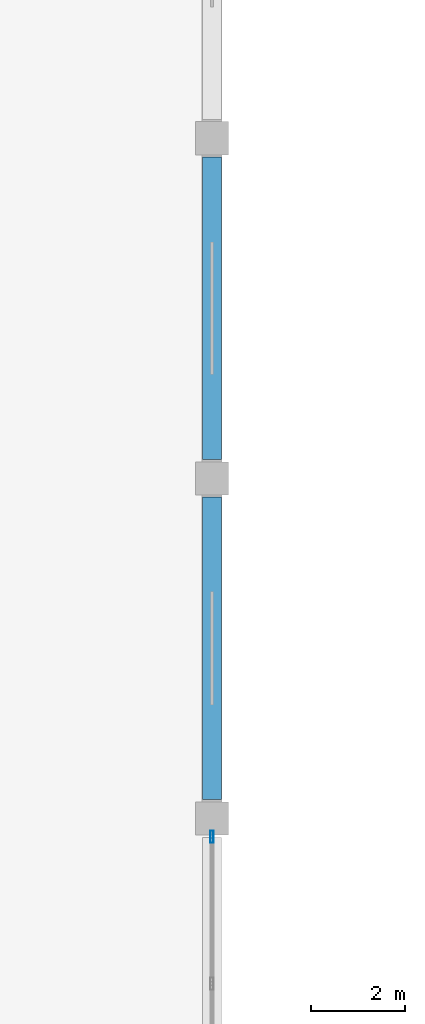
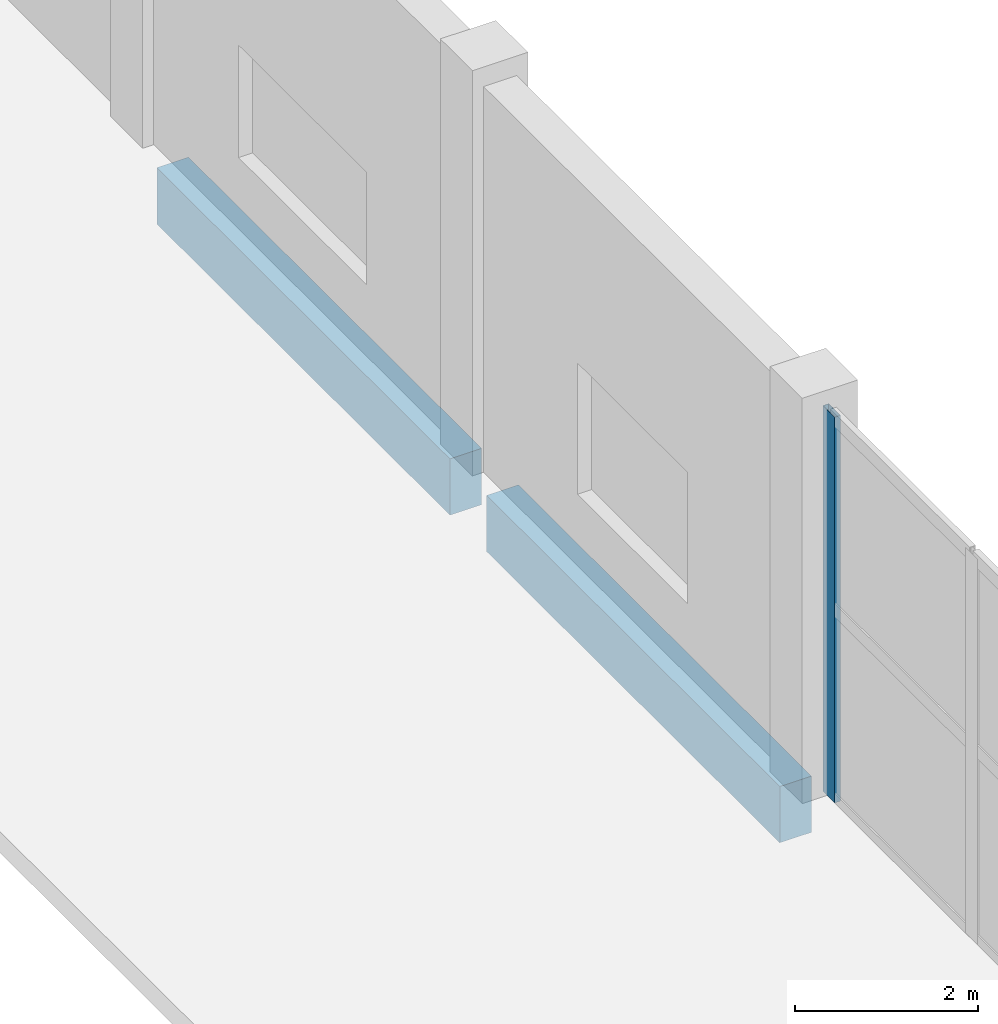
# One storey, part 23 of 70: 2 beams, 1 member, 1 element without a shape of its own.
"""IFC4 building model written with IfcOpenShell, lengths in metres."""

from ifc_helpers import new_model, si_unit, direction, frame, origin, origin_2d, place, context, subcontext, project, spatial, rectangle, hollow_rectangle, extrude, material, material_profile, profile_set, type_object, element, aggregate, save


model = new_model("IFC4")

# Units and contexts
model_context = context("Model", 3, precision=1e-05, world=origin(), true_north=direction((0.0, 1.0)))
body_context = subcontext(model_context, "Body", "Model", "MODEL_VIEW")
ifc_project = project(units=[si_unit("LENGTHUNIT", "METRE"), si_unit("AREAUNIT", "SQUARE_METRE"), si_unit("VOLUMEUNIT", "CUBIC_METRE"), si_unit("PLANEANGLEUNIT", "RADIAN"), si_unit("MASSUNIT", "GRAM", prefix="KILO")], contexts=[model_context])

# Site, building, storey
site_placement = place(None, origin())
site = spatial("IfcSite", under=ifc_project, at=site_placement, CompositionType="ELEMENT")
building_placement = place(site_placement, origin())
building = spatial("IfcBuilding", under=site, at=building_placement, Name="Vesperath Aquatics Centre", CompositionType="ELEMENT")
storey_placement = place(building_placement, origin())
storey = spatial("IfcBuildingStorey", under=building, at=storey_placement, Name="L00", CompositionType="ELEMENT", Elevation=0.0)

# Beams
ifc_material_1 = material(Name="Concrete C35", Category="concrete")
ifc_material_profile_1 = material_profile(ifc_material_1, rectangle(XDim=0.39990234375, YDim=0.75, at=origin_2d()), Name="RC 400x750")
ifc_profile_set_1 = profile_set([ifc_material_profile_1], Name="Concrete C35")
beam_type = type_object("IfcBeamType", Name="BM-G04", PredefinedType="BEAM", material=ifc_profile_set_1)
beam_1_placement = place(storey_placement, frame((57.60009765625, 94.0, -0.655029296875), z_axis=(0.0, 1.0, 0.0), x_axis=(-1.0, 0.0, 0.0)))
element("IfcBeam", 1, at=beam_1_placement, inside=storey, type_object=beam_type, Name="Floor Girder B04 L00 9 P-Q", PredefinedType="BEAM", context=body_context, shape_type="SweptSolid", body=[
    extrude(rectangle(XDim=0.39990234375, YDim=0.75, at=origin_2d()), origin(), (0.0, 0.0, 1.0), 6.39990234375),
])
beam_2_placement = place(storey_placement, frame((57.60009765625, 101.199951171875, -0.655029296875), z_axis=(0.0, 1.0, 0.0), x_axis=(-1.0, 0.0, 0.0)))
element("IfcBeam", 2, at=beam_2_placement, inside=storey, type_object=beam_type, Name="Floor Girder B04 L00 9 Q-R", PredefinedType="BEAM", context=body_context, shape_type="SweptSolid", body=[
    extrude(rectangle(XDim=0.39990234375, YDim=0.75, at=origin_2d()), origin(), (0.0, 0.0, 1.0), 6.400146484375),
])

# Curtain wall, member
ifc_material_2 = material(Name="Thermally broken anodised bronze aluminium curtain wall", Category="aluminium")
curtain_wall_type = type_object("IfcCurtainWallType", Name="CW-01", PredefinedType="NOTDEFINED", material=ifc_material_2)
curtain_wall_placement = place(storey_placement, origin())
curtain_wall = element("IfcCurtainWall", 3, at=curtain_wall_placement, inside=storey, type_object=curtain_wall_type, Name="Facade Curtain Wall CW01 L00_E_08_12", PredefinedType="NOTDEFINED")
ifc_material_3 = material(Name="Thermally broken anodised aluminium", Category="aluminium")
ifc_material_profile_2 = material_profile(ifc_material_3, hollow_rectangle(XDim=0.074951171875, YDim=0.260009765625, WallThickness=0.006103515625, at=origin_2d()), Name="CWM 75x260x6")
ifc_profile_set_2 = profile_set([ifc_material_profile_2], Name="Thermally broken anodised aluminium")
member_type = type_object("IfcMemberType", Name="MB-CWM1", PredefinedType="MULLION", material=ifc_profile_set_2)
member_placement = place(storey_placement, frame((57.60009765625, 93.21240234375, 0.0), z_axis=(0.0, 0.0, 1.0), x_axis=(-1.0, 0.0, 0.0)))
member = element("IfcMember", 4, at=member_placement, type_object=member_type, Name="CW01 mullion 3", PredefinedType="MULLION", context=body_context, shape_type="SweptSolid", body=[
    extrude(hollow_rectangle(XDim=0.074951171875, YDim=0.260009765625, WallThickness=0.006103515625, at=origin_2d()), origin(), (0.0, 0.0, 1.0), 5.139892578125),
])
aggregate(curtain_wall, [member])

save(model, "model.ifc")
